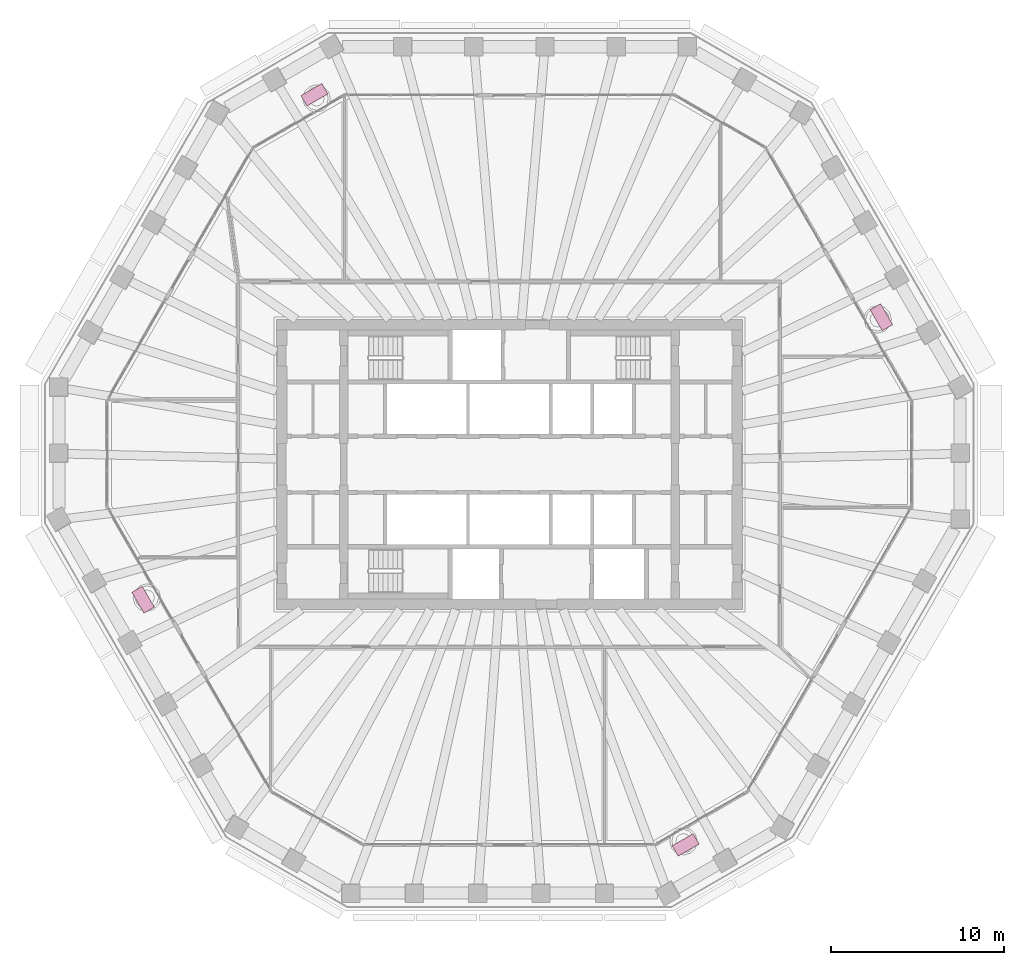
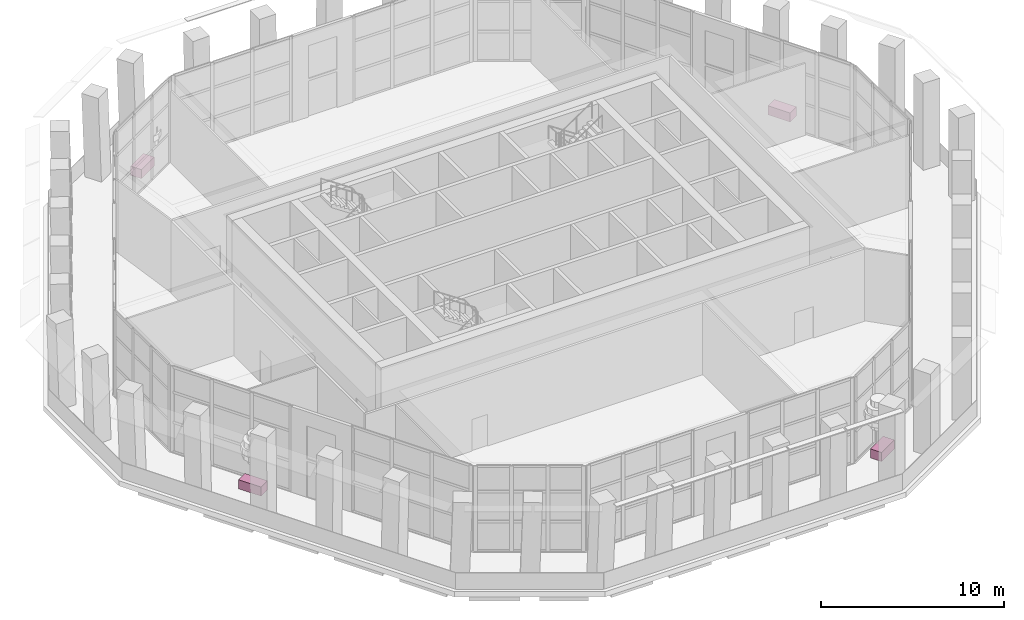
# One storey, part 18 of 19: 4 furniture elements.
"""IFC4 building model written with IfcOpenShell, lengths in metres."""

from ifc_helpers import new_model, si_unit, direction, frame, origin, origin_2d, place, context, subcontext, project, spatial, rectangle, extrude, material, type_object, element, save


model = new_model("IFC4")

# Units and contexts
model_context = context("Model", 3, precision=1e-05, world=origin(), true_north=direction((0.0, 1.0)))
body_context = subcontext(model_context, "Body", "Model", "MODEL_VIEW")
ifc_project = project(units=[si_unit("LENGTHUNIT", "METRE"), si_unit("AREAUNIT", "SQUARE_METRE"), si_unit("VOLUMEUNIT", "CUBIC_METRE"), si_unit("PLANEANGLEUNIT", "RADIAN"), si_unit("MASSUNIT", "GRAM", prefix="KILO")], contexts=[model_context])

# Site, building, storey
site_placement = place(None, origin())
site = spatial("IfcSite", under=ifc_project, at=site_placement, CompositionType="ELEMENT")
building_placement = place(site_placement, origin())
building = spatial("IfcBuilding", under=site, at=building_placement, Name="Frailejon Research Tower", CompositionType="ELEMENT")
storey_placement = place(building_placement, frame((0.0, 0.0, 231.39990234375)))
storey = spatial("IfcBuildingStorey", under=building, at=storey_placement, Name="L50", CompositionType="ELEMENT", Elevation=231.39990234375)

# Furniture
ifc_material = material(Name="Precast concrete C30/37 planter, terracotta", Category="masonry")
furniture_type = type_object("IfcFurnitureType", Name="Loggia planter 1400x700", AssemblyPlace="NOTDEFINED", PredefinedType="USERDEFINED", material=ifc_material)
for number, where, z_axis, x_axis, name in (
    (1, (21.550048828125, 8.53125, 0.0), (0.0, 0.0, 1.0), (-0.5, 0.866025403784, 0.0), "Planter L50"),
    (2, (-11.29931640625, 21.4169921875, 0.0), (0.0, 0.0, 1.0), (-0.866025403784, -0.5, 0.0), "Planter L50"),
    (3, (-21.223388671875, -7.83984375, 0.0), (0.0, 0.0, 1.0), (0.5, -0.866025403784, 0.0), "Planter L50"),
    (4, (10.210693359375, -22.04541015625, 0.0), (0.0, 0.0, 1.0), (0.866025403784, 0.5, 0.0), "Planter L50"),
):
    element("IfcFurniture", number, at=place(storey_placement, frame(where, z_axis=z_axis, x_axis=x_axis)), inside=storey, type_object=furniture_type, Name=name, ObjectType="PLANTER", PredefinedType="USERDEFINED", context=body_context, shape_type="SweptSolid", body=[
        extrude(rectangle(XDim=1.39990234375, YDim=0.699951171875, at=origin_2d()), origin(), (0.0, 0.0, 1.0), 0.60009765625),
    ])

save(model, "model.ifc")
